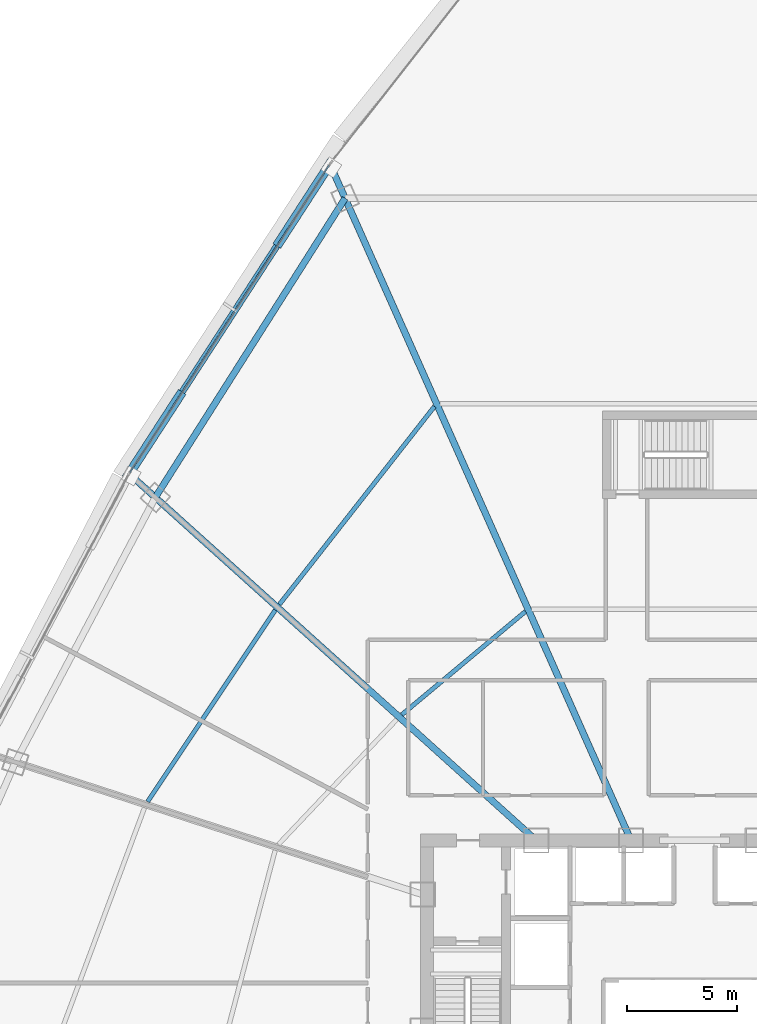
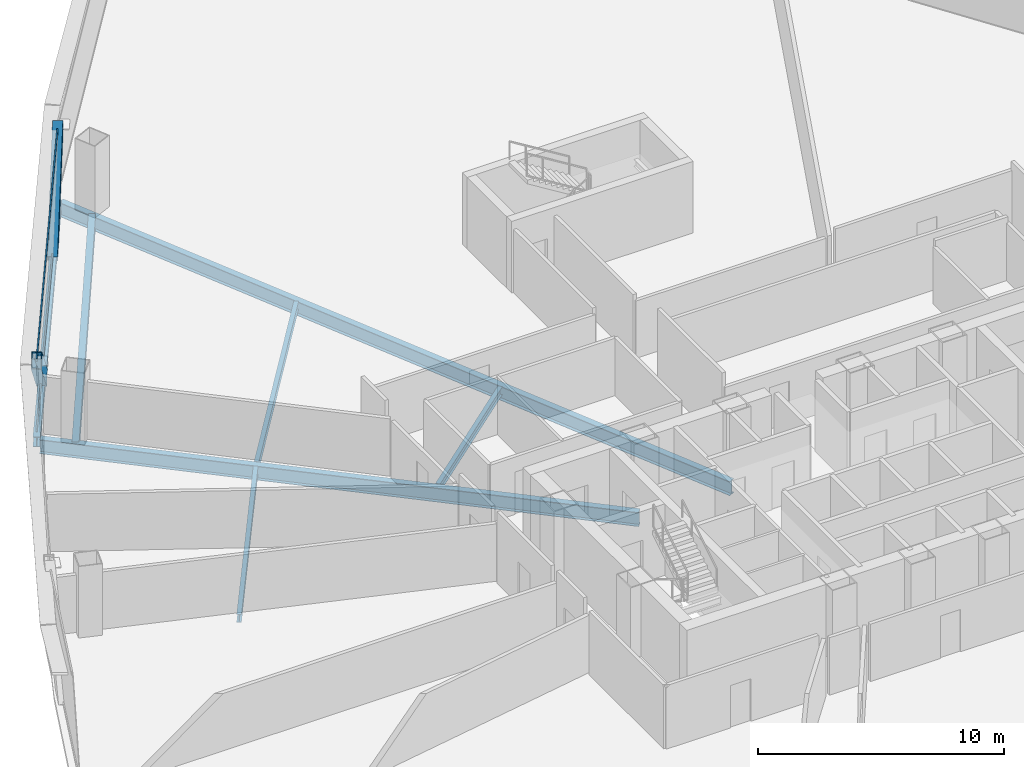
# One storey, part 15 of 36: 7 beams, 4 members, 1 element without a shape of its own.
"""IFC4 building model written with IfcOpenShell, lengths in metres."""

from ifc_helpers import new_model, si_unit, direction, frame, origin, origin_2d, place, context, subcontext, project, spatial, hollow_rectangle, i_section, extrude, source, transform, mapped, material, layer, layer_set, material_profile, profile_set, type_object, element, aggregate, save


model = new_model("IFC4")

# Units and contexts
model_context = context("Model", 3, precision=1e-05, world=origin(), true_north=direction((0.0, 1.0)))
body_context = subcontext(model_context, "Body", "Model", "MODEL_VIEW")
ifc_project = project(units=[si_unit("LENGTHUNIT", "METRE"), si_unit("AREAUNIT", "SQUARE_METRE"), si_unit("VOLUMEUNIT", "CUBIC_METRE"), si_unit("PLANEANGLEUNIT", "RADIAN"), si_unit("MASSUNIT", "GRAM", prefix="KILO"), si_unit("THERMODYNAMICTEMPERATUREUNIT", "KELVIN"), si_unit("POWERUNIT", "WATT")], contexts=[model_context])

# Site, building, storey
site_placement = place(None, origin())
site = spatial("IfcSite", under=ifc_project, at=site_placement, CompositionType="ELEMENT")
building_placement = place(site_placement, origin())
building = spatial("IfcBuilding", under=site, at=building_placement, Name="Yunzhuo Pagoda Commons", CompositionType="ELEMENT")
storey_placement = place(building_placement, frame((0.0, 0.0, 107.780029296875)))
storey = spatial("IfcBuildingStorey", under=building, at=storey_placement, Name="L27", CompositionType="ELEMENT", Elevation=107.780029296875)

# Beams
ifc_material_1 = material(Name="Structural steel Q355B", Category="steel")
ifc_material_profile_1 = material_profile(ifc_material_1, i_section(OverallWidth=0.300048828125, OverallDepth=0.699951171875, WebThickness=0.012939453125, FlangeThickness=0.02392578125, at=origin_2d()), Name="Structural steel Q355B")
ifc_profile_set_1 = profile_set([ifc_material_profile_1], Name="Structural steel Q355B")
beam_type_1 = type_object("IfcBeamType", Name="B-RG1 Beam HN 700x300x13x24", PredefinedType="BEAM", material=ifc_profile_set_1)
shared_shape_1 = source(origin(), body_context, "Body", "SweptSolid", [
    extrude(i_section(OverallWidth=0.300048828125, OverallDepth=0.699951171875, WebThickness=0.012939453125, FlangeThickness=0.02392578125, at=origin_2d()), origin(), (0.0, 0.0, 1.0), 16.16845703125),
])
beam_1_placement = place(storey_placement, frame((32.05859375, 69.505126953125, -0.610107421875), z_axis=(-0.535695673154, -0.844411123662, 0.0), x_axis=(0.844411123662, -0.535695673154, 0.0)))
element("IfcBeam", 1, at=beam_1_placement, inside=storey, type_object=beam_type_1, Name="L27 column-ring beam 9", PredefinedType="BEAM", context=body_context, shape_type="MappedRepresentation", body=[
    mapped(shared_shape_1, transform((0.0, 0.0, 0.0), scale=1.0)),
])
ifc_material_profile_2 = material_profile(ifc_material_1, i_section(OverallWidth=0.199951171875, OverallDepth=0.39990234375, WebThickness=0.008056640625, FlangeThickness=0.012939453125, at=origin_2d()), Name="Structural steel Q355B")
ifc_profile_set_2 = profile_set([ifc_material_profile_2], Name="Structural steel Q355B")
beam_type_2 = type_object("IfcBeamType", Name="B-JS1 Joist HN 400x200x8x13", PredefinedType="JOIST", material=ifc_profile_set_2)
shared_shape_2 = source(origin(), body_context, "Body", "SweptSolid", [
    extrude(i_section(OverallWidth=0.199951171875, OverallDepth=0.39990234375, WebThickness=0.008056640625, FlangeThickness=0.012939453125, at=origin_2d()), origin(), (0.0, 0.0, 1.0), 10.50537109375),
])
beam_2_placement = place(storey_placement, frame((28.871826171875, 50.711181640625, -0.4599609375), z_axis=(-0.554523204193, -0.832168261839, 0.0), x_axis=(0.832168261839, -0.554523204193, 0.0)))
element("IfcBeam", 2, at=beam_2_placement, inside=storey, type_object=beam_type_2, Name="L27 composite ring joist 2.10", PredefinedType="JOIST", context=body_context, shape_type="MappedRepresentation", body=[
    mapped(shared_shape_2, transform((0.0, 0.0, 0.0), scale=1.0)),
])
shared_shape_3 = source(origin(), body_context, "Body", "SweptSolid", [
    extrude(i_section(OverallWidth=0.199951171875, OverallDepth=0.39990234375, WebThickness=0.008056640625, FlangeThickness=0.012939453125, at=origin_2d()), origin(), (0.0, 0.0, 1.0), 7.35009765625),
])
beam_3_placement = place(storey_placement, frame((40.286865234375, 50.64794921875, -0.4599609375), z_axis=(-0.767561992249, -0.640974717173, 0.0), x_axis=(0.640974717173, -0.767561992249, 0.0)))
element("IfcBeam", 3, at=beam_3_placement, inside=storey, type_object=beam_type_2, Name="L27 composite ring joist 1.9", PredefinedType="JOIST", context=body_context, shape_type="MappedRepresentation", body=[
    mapped(shared_shape_3, transform((0.0, 0.0, 0.0), scale=1.0)),
])
shared_shape_4 = source(origin(), body_context, "Body", "SweptSolid", [
    extrude(i_section(OverallWidth=0.199951171875, OverallDepth=0.39990234375, WebThickness=0.008056640625, FlangeThickness=0.012939453125, at=origin_2d()), origin(), (0.0, 0.0, 1.0), 11.4755859375),
])
beam_4_placement = place(storey_placement, frame((36.135498046875, 60.002197265625, -0.4599609375), z_axis=(-0.616713174055, -0.787187945123, 0.0), x_axis=(0.787187945123, -0.616713174055, 0.0)))
element("IfcBeam", 4, at=beam_4_placement, inside=storey, type_object=beam_type_2, Name="L27 composite ring joist 2.9", PredefinedType="JOIST", context=body_context, shape_type="MappedRepresentation", body=[
    mapped(shared_shape_4, transform((0.0, 0.0, 0.0), scale=1.0)),
])
shared_shape_5 = source(origin(), body_context, "Body", "SweptSolid", [
    extrude(i_section(OverallWidth=0.300048828125, OverallDepth=0.699951171875, WebThickness=0.012939453125, FlangeThickness=0.02392578125, at=origin_2d()), origin(), (0.0, 0.0, 1.0), 24.849853515625),
])
beam_5_placement = place(storey_placement, frame((22.31396484375, 56.827880859375, -0.610107421875), z_axis=(0.743142198671, -0.669133523712, 0.0), x_axis=(0.669133523712, 0.743142198671, 0.0)))
element("IfcBeam", 5, at=beam_5_placement, inside=storey, type_object=beam_type_1, Name="L27 radial floor girder F3C2", PredefinedType="BEAM", context=body_context, shape_type="MappedRepresentation", body=[
    mapped(shared_shape_5, transform((0.0, 0.0, 0.0), scale=1.0)),
])
shared_shape_6 = source(origin(), body_context, "Body", "SweptSolid", [
    extrude(i_section(OverallWidth=0.300048828125, OverallDepth=0.699951171875, WebThickness=0.012939453125, FlangeThickness=0.02392578125, at=origin_2d()), origin(), (0.0, 0.0, 1.0), 33.631591796875),
])
beam_6_placement = place(storey_placement, frame((31.4267578125, 70.924072265625, -0.610107421875), z_axis=(0.406735133761, -0.913546129631, 0.0), x_axis=(0.913546129631, 0.406735133761, 0.0)))
element("IfcBeam", 6, at=beam_6_placement, inside=storey, type_object=beam_type_1, Name="L27 radial floor girder F3C1", PredefinedType="BEAM", context=body_context, shape_type="MappedRepresentation", body=[
    mapped(shared_shape_6, transform((0.0, 0.0, 0.0), scale=1.0)),
])
ifc_material_profile_3 = material_profile(ifc_material_1, i_section(OverallWidth=0.300048828125, OverallDepth=0.488037109375, WebThickness=0.010986328125, FlangeThickness=0.01806640625, at=origin_2d()), Name="Structural steel Q355B")
ifc_profile_set_3 = profile_set([ifc_material_profile_3], Name="Structural steel Q355B")
beam_type_3 = type_object("IfcBeamType", Name="B-SP1 Beam HM 488x300x11x18", PredefinedType="BEAM", material=ifc_profile_set_3)
shared_shape_7 = source(origin(), body_context, "Body", "SweptSolid", [
    extrude(i_section(OverallWidth=0.300048828125, OverallDepth=0.488037109375, WebThickness=0.010986328125, FlangeThickness=0.01806640625, at=origin_2d()), origin(), (0.0, 0.0, 1.0), 16.845458984375),
])
beam_7_placement = place(storey_placement, frame((31.364013671875, 71.065673828125, -0.504150390625), z_axis=(-0.544066481819, -0.839042110601, 0.0), x_axis=(0.839042110601, -0.544066481819, 0.0)))
element("IfcBeam", 7, at=beam_7_placement, inside=storey, type_object=beam_type_3, Name="L27 facade edge spandrel beam F3.1", PredefinedType="BEAM", context=body_context, shape_type="MappedRepresentation", body=[
    mapped(shared_shape_7, transform((0.0, 0.0, 0.0), scale=1.0)),
])

# Members
ifc_material_2 = material(Name="Structural steel Q420B", Category="steel")
ifc_material_profile_4 = material_profile(ifc_material_2, hollow_rectangle(XDim=0.419921875, YDim=0.719970703125, WallThickness=0.028076171875, at=origin_2d()), Name="Structural steel Q420B")
ifc_profile_set_4 = profile_set([ifc_material_profile_4], Name="Structural steel Q420B")
member_type_1 = type_object("IfcMemberType", Name="M-DL1 Brace BOX 720x420x28", PredefinedType="BRACE", material=ifc_profile_set_4)
shared_shape_8 = source(origin(), body_context, "Body", "SweptSolid", [
    extrude(hollow_rectangle(XDim=0.419921875, YDim=0.719970703125, WallThickness=0.028076171875, at=origin_2d()), origin(), (0.0, 0.0, 1.0), 5.67236328125),
])
member_1_placement = place(storey_placement, frame((29.072509765625, 67.531982421875, -0.259765625), z_axis=(0.403972061641, 0.622958834454, 0.669872274385), x_axis=(-0.839028517518, 0.544087444067, 0.0)))
element("IfcMember", 8, at=member_1_placement, inside=storey, type_object=member_type_1, Name="L27 facade diamond brace F3.1L", PredefinedType="BRACE", context=body_context, shape_type="MappedRepresentation", body=[
    mapped(shared_shape_8, transform((0.0, 0.0, 0.0), scale=1.0)),
])
shared_shape_9 = source(origin(), body_context, "Body", "SweptSolid", [
    extrude(hollow_rectangle(XDim=0.419921875, YDim=0.719970703125, WallThickness=0.028076171875, at=origin_2d()), origin(), (0.0, 0.0, 1.0), 5.672119140625),
])
member_2_placement = place(storey_placement, frame((24.489990234375, 60.465087890625, -0.259765625), z_axis=(-0.403910856024, -0.622954158061, 0.669913529749), x_axis=(0.839064284704, -0.544032284092, 0.0)))
element("IfcMember", 9, at=member_2_placement, inside=storey, type_object=member_type_1, Name="L27 facade diamond brace F3.1R", PredefinedType="BRACE", context=body_context, shape_type="MappedRepresentation", body=[
    mapped(shared_shape_9, transform((0.0, 0.0, 0.0), scale=1.0)),
])

# Curtain wall, members
ifc_material_3 = material(Name="Anodized aluminium 6063-T6", Category="aluminium")
ifc_layer = layer(ifc_material_3, 0.1650390625)
ifc_layer_set = layer_set([ifc_layer], Name="Anodized aluminium 6063-T6")
curtain_wall_type = type_object("IfcCurtainWallType", Name="CW-LOW Low-Zone Ribbon Curtain Wall", PredefinedType="NOTDEFINED", material=ifc_layer_set)
curtain_wall_placement = place(storey_placement, origin())
curtain_wall = element("IfcCurtainWall", 10, at=curtain_wall_placement, inside=storey, type_object=curtain_wall_type, Name="L27 curtain wall CW-L27-F3B2", PredefinedType="NOTDEFINED")
ifc_material_profile_5 = material_profile(ifc_material_3, hollow_rectangle(XDim=0.06005859375, YDim=0.139892578125, WallThickness=0.00341796875, at=origin_2d()), Name="Anodized aluminium 6063-T6")
ifc_profile_set_5 = profile_set([ifc_material_profile_5], Name="Anodized aluminium 6063-T6")
member_type_2 = type_object("IfcMemberType", Name="CW-LOW-T Transom RHS 140x60x3.5", PredefinedType="USERDEFINED", material=ifc_profile_set_5)
shared_shape_10 = source(origin(), body_context, "Body", "SweptSolid", [
    extrude(hollow_rectangle(XDim=0.06005859375, YDim=0.139892578125, WallThickness=0.00341796875, at=origin_2d()), origin(), (0.0, 0.0, 1.0), 16.71533203125),
])
member_3_placement = place(storey_placement, frame((31.328369140625, 71.010986328125, 0.030029296875), z_axis=(-0.544064956153, -0.839043099898, 0.0), x_axis=(0.839043099898, -0.544064956153, 0.0)))
member_3 = element("IfcMember", 11, at=member_3_placement, type_object=member_type_2, Name="CW transom 1.1", ObjectType="TRANSOM", PredefinedType="USERDEFINED", context=body_context, shape_type="MappedRepresentation", body=[
    mapped(shared_shape_10, transform((0.0, 0.0, 0.0), scale=1.0)),
])
member_4_placement = place(storey_placement, frame((31.328369140625, 71.010986328125, 3.510009765625), z_axis=(-0.544064956153, -0.839043099898, 0.0), x_axis=(0.839043099898, -0.544064956153, 0.0)))
member_4 = element("IfcMember", 12, at=member_4_placement, type_object=member_type_2, Name="CW transom 1.2", ObjectType="TRANSOM", PredefinedType="USERDEFINED", context=body_context, shape_type="MappedRepresentation", body=[
    mapped(shared_shape_10, transform((0.0, 0.0, 0.0), scale=1.0)),
])
aggregate(curtain_wall, [member_3, member_4])

save(model, "model.ifc")
